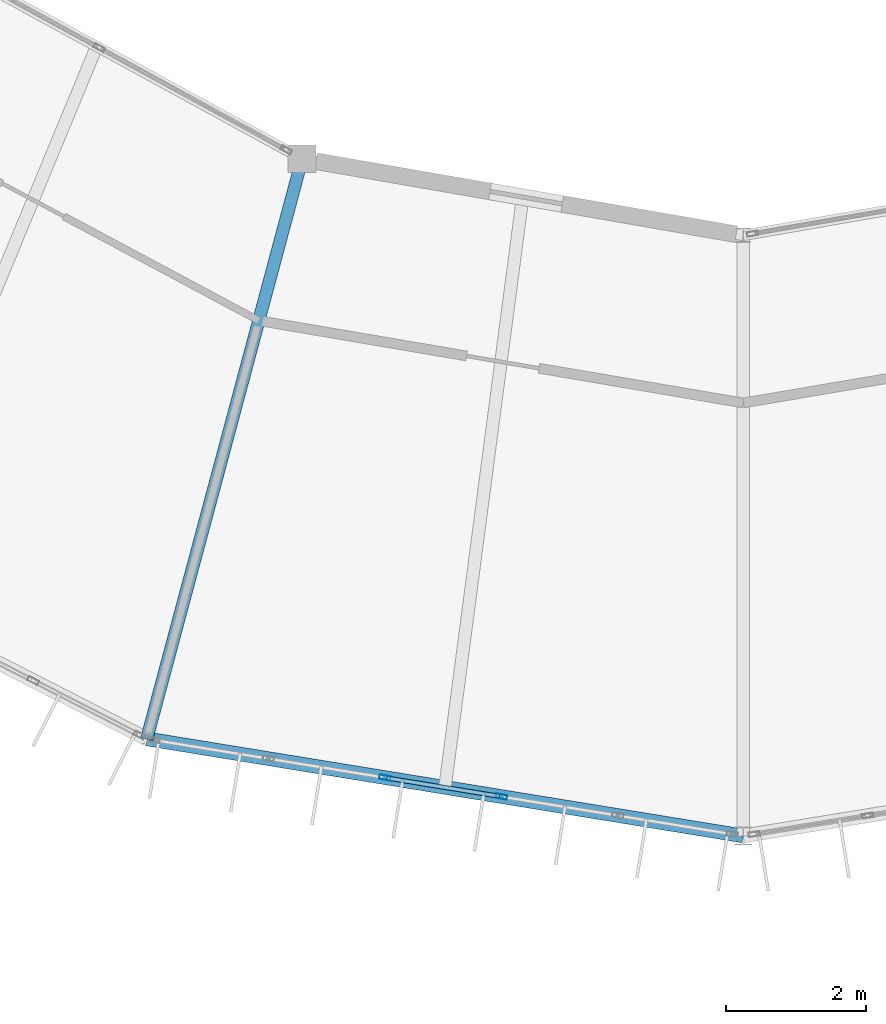
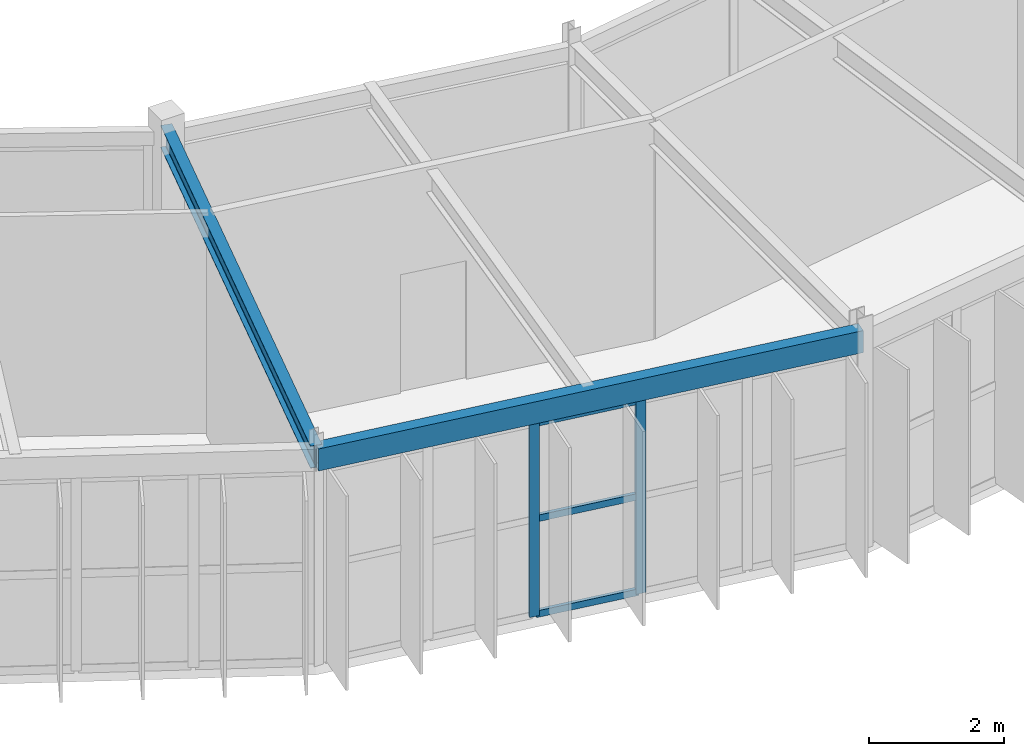
# One storey, part 18 of 106: 5 members, 2 beams, 1 element without a shape of its own.
"""IFC4 building model written with IfcOpenShell, lengths in metres."""

from ifc_helpers import new_model, si_unit, direction, frame, origin, origin_2d, place, context, subcontext, project, spatial, hollow_rectangle, i_section, extrude, material, material_profile, profile_set, type_object, element, aggregate, save


model = new_model("IFC4")

# Units and contexts
model_context = context("Model", 3, precision=1e-05, world=origin(), true_north=direction((0.0, 1.0)))
body_context = subcontext(model_context, "Body", "Model", "MODEL_VIEW")
ifc_project = project(units=[si_unit("LENGTHUNIT", "METRE"), si_unit("AREAUNIT", "SQUARE_METRE"), si_unit("VOLUMEUNIT", "CUBIC_METRE"), si_unit("PLANEANGLEUNIT", "RADIAN"), si_unit("MASSUNIT", "GRAM", prefix="KILO")], contexts=[model_context])

# Site, building, storey
site_placement = place(None, origin())
site = spatial("IfcSite", under=ifc_project, at=site_placement, CompositionType="ELEMENT")
building_placement = place(site_placement, origin())
building = spatial("IfcBuilding", under=site, at=building_placement, Name="Karori Crest Natural Sciences Institute", CompositionType="ELEMENT")
storey_placement = place(building_placement, frame((0.0, 0.0, 25.89990234375)))
storey = spatial("IfcBuildingStorey", under=building, at=storey_placement, Name="L06", CompositionType="ELEMENT", Elevation=25.89990234375)

# Beams
ifc_material_1 = material(Name="Structural steel AS/NZS 3679.1 Grade 350", Category="steel")
ifc_material_profile_1 = material_profile(ifc_material_1, i_section(OverallWidth=0.177978515625, OverallDepth=0.406005859375, WebThickness=0.0078125, FlangeThickness=0.0126953125, FilletRadius=0.010986328125, at=origin_2d()), Name="410UB59.7")
ifc_profile_set_1 = profile_set([ifc_material_profile_1], Name="Structural steel AS/NZS 3679.1 Grade 350")
beam_type_1 = type_object("IfcBeamType", Name="BT-07", PredefinedType="BEAM", material=ifc_profile_set_1)
beam_1_placement = place(storey_placement, frame((60.084716796875, 18.797119140625, 3.739990234375), z_axis=(-0.258819806009, -0.965925622404, 0.0), x_axis=(0.965925622404, -0.258819806009, 0.0)))
element("IfcBeam", 1, at=beam_1_placement, inside=storey, type_object=beam_type_1, Name="Beam B-0697", PredefinedType="BEAM", context=body_context, shape_type="SweptSolid", body=[
    extrude(i_section(OverallWidth=0.177978515625, OverallDepth=0.406005859375, WebThickness=0.0078125, FlangeThickness=0.0126953125, FilletRadius=0.010986328125, at=origin_2d()), origin(), (0.0, 0.0, 1.0), 8.599853515625),
])
ifc_material_2 = material(Name="Hollow structural steel AS/NZS 1163 Grade C350", Category="steel")
ifc_material_profile_2 = material_profile(ifc_material_2, hollow_rectangle(XDim=0.199951171875, YDim=0.39990234375, WallThickness=0.012451171875, at=origin_2d()), Name="RHS400x200x12.5")
ifc_profile_set_2 = profile_set([ifc_material_profile_2], Name="Hollow structural steel AS/NZS 1163 Grade C350")
beam_type_2 = type_object("IfcBeamType", Name="BT-14", PredefinedType="SPANDREL", material=ifc_profile_set_2)
beam_2_placement = place(storey_placement, frame((57.85888671875, 10.490234375, 3.739990234375), z_axis=(0.987012055933, -0.160646199591, 0.0), x_axis=(0.160646199591, 0.987012055933, 0.0)))
element("IfcBeam", 2, at=beam_2_placement, inside=storey, type_object=beam_type_2, Name="Beam B-0695", PredefinedType="SPANDREL", context=body_context, shape_type="SweptSolid", body=[
    extrude(hollow_rectangle(XDim=0.199951171875, YDim=0.39990234375, WallThickness=0.012451171875, at=origin_2d()), origin(), (0.0, 0.0, 1.0), 8.6533203125),
])

# Curtain wall, members
ifc_material_3 = material(Name="Anodised architectural aluminium 6063-T6", Category="aluminium")
curtain_wall_type = type_object("IfcCurtainWallType", Name="CWT-08", PredefinedType="NOTDEFINED", material=ifc_material_3)
curtain_wall_placement = place(storey_placement, origin())
curtain_wall = element("IfcCurtainWall", 3, at=curtain_wall_placement, inside=storey, type_object=curtain_wall_type, Name="Curtain wall CW-0210", PredefinedType="NOTDEFINED")
ifc_material_profile_3 = material_profile(ifc_material_3, hollow_rectangle(XDim=0.06494140625, YDim=0.159912109375, WallThickness=0.00390625, at=origin_2d()), Name="CWM160x65x4")
ifc_profile_set_3 = profile_set([ifc_material_profile_3], Name="Anodised architectural aluminium 6063-T6")
member_type_1 = type_object("IfcMemberType", Name="CWM-01", PredefinedType="MULLION", material=ifc_profile_set_3)
member_1_placement = place(storey_placement, frame((62.93798828125, 9.66357421875, 0.0), z_axis=(0.0, 0.0, 1.0), x_axis=(-0.160655493101, -0.987010543275, 0.0)))
member_1 = element("IfcMember", 4, at=member_1_placement, type_object=member_type_1, Name="CW-0210 mullion 3", PredefinedType="MULLION", context=body_context, shape_type="SweptSolid", body=[
    extrude(hollow_rectangle(XDim=0.06494140625, YDim=0.159912109375, WallThickness=0.00390625, at=origin_2d()), origin(), (0.0, 0.0, 1.0), 3.525146484375),
])
member_2_placement = place(storey_placement, frame((61.27001953125, 9.93505859375, 0.0), z_axis=(0.0, 0.0, 1.0), x_axis=(-0.160655493101, -0.987010543275, 0.0)))
member_2 = element("IfcMember", 5, at=member_2_placement, type_object=member_type_1, Name="CW-0210 mullion 4", PredefinedType="MULLION", context=body_context, shape_type="SweptSolid", body=[
    extrude(hollow_rectangle(XDim=0.06494140625, YDim=0.159912109375, WallThickness=0.00390625, at=origin_2d()), origin(), (0.0, 0.0, 1.0), 3.525146484375),
])
ifc_material_profile_4 = material_profile(ifc_material_3, hollow_rectangle(XDim=0.06005859375, YDim=0.1201171875, WallThickness=0.00390625, at=origin_2d()), Name="CWT120x60x4")
ifc_profile_set_4 = profile_set([ifc_material_profile_4], Name="Anodised architectural aluminium 6063-T6")
member_type_2 = type_object("IfcMemberType", Name="CWT-TR1", PredefinedType="USERDEFINED", material=ifc_profile_set_4)
member_3_placement = place(storey_placement, frame((62.906005859375, 9.668701171875, 0.030029296875), z_axis=(-0.987020010371, 0.1605973198, 0.0), x_axis=(-0.1605973198, -0.987020010371, 0.0)))
member_3 = element("IfcMember", 6, at=member_3_placement, type_object=member_type_2, Name="CW-0210 transom 3.1", ObjectType="TRANSOM", PredefinedType="USERDEFINED", context=body_context, shape_type="SweptSolid", body=[
    extrude(hollow_rectangle(XDim=0.06005859375, YDim=0.1201171875, WallThickness=0.00390625, at=origin_2d()), origin(), (0.0, 0.0, 1.0), 1.625),
])
member_4_placement = place(storey_placement, frame((62.906005859375, 9.668701171875, 1.7626953125), z_axis=(-0.987020010371, 0.1605973198, 0.0), x_axis=(-0.1605973198, -0.987020010371, 0.0)))
member_4 = element("IfcMember", 7, at=member_4_placement, type_object=member_type_2, Name="CW-0210 transom 3.2", ObjectType="TRANSOM", PredefinedType="USERDEFINED", context=body_context, shape_type="SweptSolid", body=[
    extrude(hollow_rectangle(XDim=0.06005859375, YDim=0.1201171875, WallThickness=0.00390625, at=origin_2d()), origin(), (0.0, 0.0, 1.0), 1.625),
])
member_5_placement = place(storey_placement, frame((62.906005859375, 9.668701171875, 3.4951171875), z_axis=(-0.987020010371, 0.1605973198, 0.0), x_axis=(-0.1605973198, -0.987020010371, 0.0)))
member_5 = element("IfcMember", 8, at=member_5_placement, type_object=member_type_2, Name="CW-0210 transom 3.3", ObjectType="TRANSOM", PredefinedType="USERDEFINED", context=body_context, shape_type="SweptSolid", body=[
    extrude(hollow_rectangle(XDim=0.06005859375, YDim=0.1201171875, WallThickness=0.00390625, at=origin_2d()), origin(), (0.0, 0.0, 1.0), 1.625),
])
aggregate(curtain_wall, [member_1, member_2, member_3, member_4, member_5])

save(model, "model.ifc")
